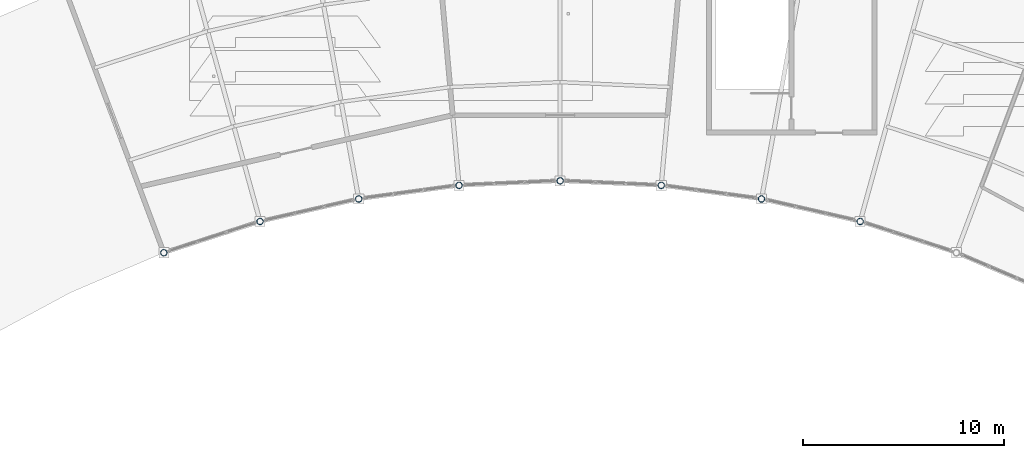
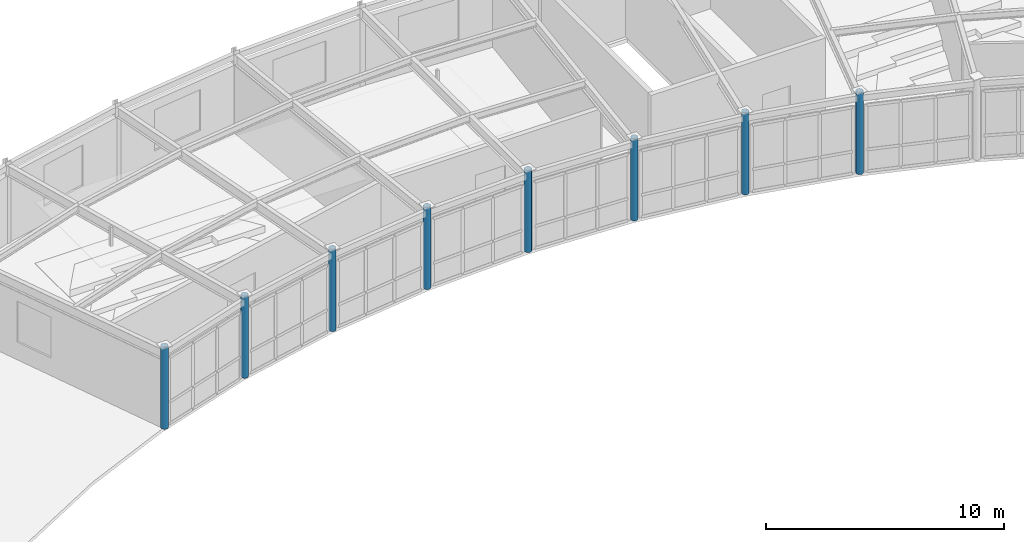
# One storey, part 6 of 54: 8 columns.
"""IFC4 building model written with IfcOpenShell, lengths in metres."""

from ifc_helpers import new_model, si_unit, direction, frame, origin, origin_2d, place, context, subcontext, project, spatial, hollow_circle, extrude, material, material_profile, profile_set, type_object, element, save


model = new_model("IFC4")

# Units and contexts
model_context = context("Model", 3, precision=1e-05, world=origin(), true_north=direction((0.0, 1.0)))
body_context = subcontext(model_context, "Body", "Model", "MODEL_VIEW")
ifc_project = project(units=[si_unit("LENGTHUNIT", "METRE"), si_unit("AREAUNIT", "SQUARE_METRE"), si_unit("VOLUMEUNIT", "CUBIC_METRE"), si_unit("PLANEANGLEUNIT", "RADIAN"), si_unit("MASSUNIT", "GRAM", prefix="KILO")], contexts=[model_context])

# Site, building, storey
site_placement = place(None, origin())
site = spatial("IfcSite", under=ifc_project, at=site_placement, CompositionType="ELEMENT")
building_placement = place(site_placement, origin())
building = spatial("IfcBuilding", under=site, at=building_placement, Name="Selat Folded Stagehouse", CompositionType="ELEMENT")
storey_placement = place(building_placement, frame((0.0, 0.0, 15.0)))
storey = spatial("IfcBuildingStorey", under=building, at=storey_placement, Name="L03", CompositionType="ELEMENT", Elevation=15.0)

# Columns
ifc_material = material(Name="Steel S355", Category="steel")
ifc_material_profile = material_profile(ifc_material, hollow_circle(Radius=0.161865234375, WallThickness=0.012451171875, at=origin_2d()), Name="CHS 323.9x12.5")
ifc_profile_set = profile_set([ifc_material_profile], Name="Steel S355")
column_type = type_object("IfcColumnType", Name="COL-CHS-323x12.5", PredefinedType="COLUMN", material=ifc_profile_set)
for number, where, z_axis, x_axis, name in (
    (1, (72.722900390625, 90.42919921875, 0.0), (0.0, 0.0, 1.0), (1.0, 0.0, 0.0), "L03 column STK-V6IN-03"),
    (2, (77.501953125, 91.98193359375, 0.0), (0.0, 0.0, 1.0), (1.0, 0.0, 0.0), "L03 column STK-V6IN-04"),
    (3, (82.40087890625, 93.10009765625, 0.0), (0.0, 0.0, 1.0), (1.0, 0.0, 0.0), "L03 column STK-V6IN-05"),
    (4, (87.380126953125, 93.774658203125, 0.0), (0.0, 0.0, 1.0), (1.0, 0.0, 0.0), "L03 column STK-V6IN-06"),
    (5, (92.39990234375, 94.0, 0.0), (0.0, 0.0, 1.0), (1.0, 0.0, 0.0), "L03 column STK-V6IN-07"),
    (6, (97.419921875, 93.774658203125, 0.0), (0.0, 0.0, 1.0), (1.0, 0.0, 0.0), "L03 column STK-V6IN-08"),
    (7, (102.399169921875, 93.10009765625, 0.0), (0.0, 0.0, 1.0), (1.0, 0.0, 0.0), "L03 column STK-V6IN-09"),
    (8, (107.298095703125, 91.98193359375, 0.0), (0.0, 0.0, 1.0), (1.0, 0.0, 0.0), "L03 column STK-V6IN-10"),
):
    element("IfcColumn", number, at=place(storey_placement, frame(where, z_axis=z_axis, x_axis=x_axis)), inside=storey, type_object=column_type, Name=name, PredefinedType="COLUMN", context=body_context, shape_type="SweptSolid", body=[
        extrude(hollow_circle(Radius=0.161865234375, WallThickness=0.012451171875, at=origin_2d()), origin(), (0.0, 0.0, 1.0), 4.199951171875),
    ])

save(model, "model.ifc")
